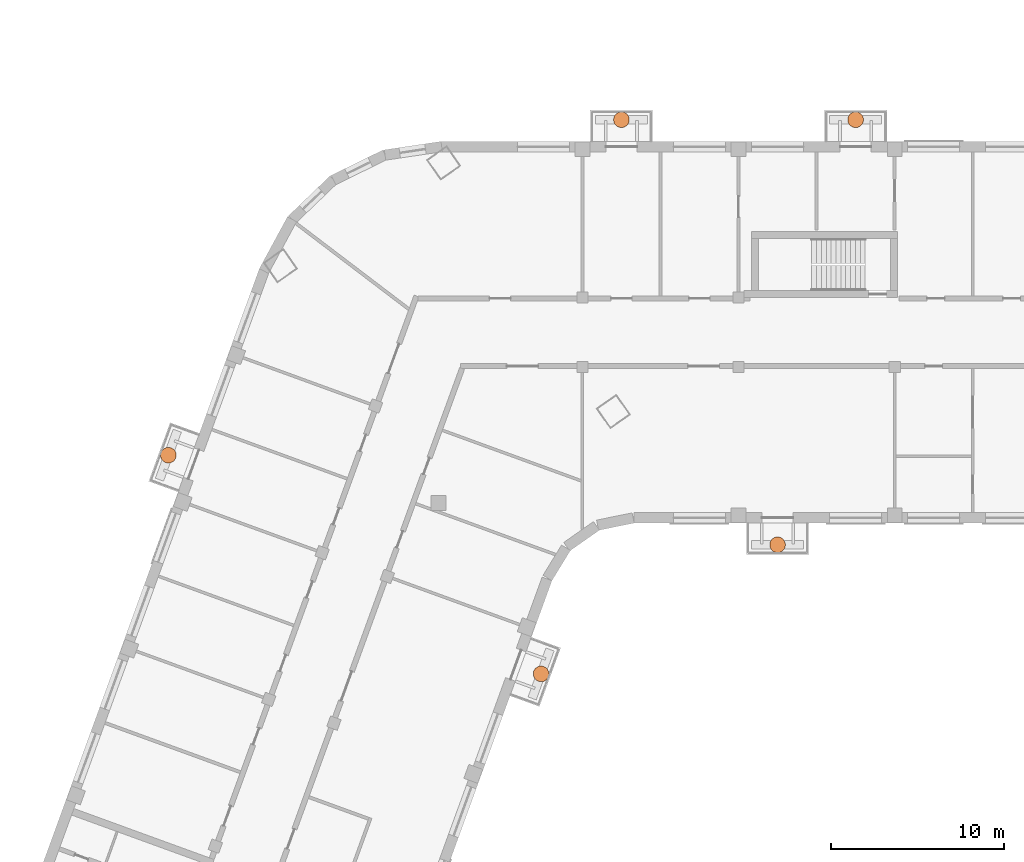
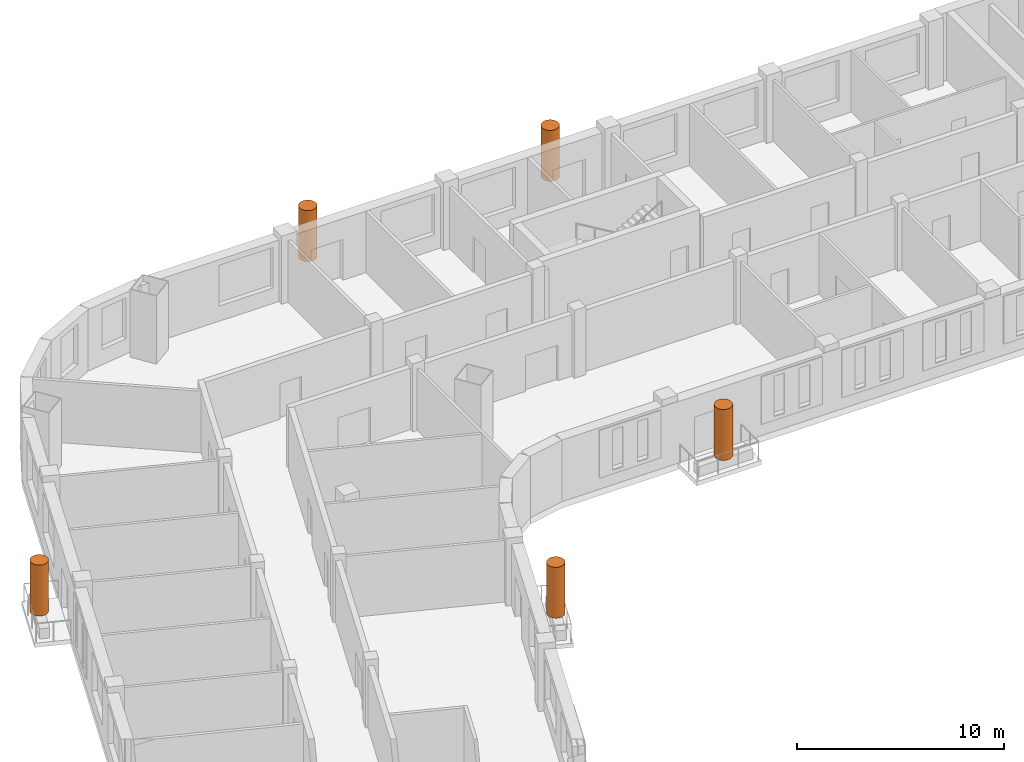
# One storey, part 16 of 16: 5 geographic elements.
"""IFC4 building model written with IfcOpenShell, lengths in metres."""

from ifc_helpers import new_model, si_unit, direction, frame, origin, origin_2d, place, context, subcontext, project, spatial, circle, extrude, element, save


model = new_model("IFC4")

# Units and contexts
model_context = context("Model", 3, precision=1e-05, world=origin(), true_north=direction((0.0, 1.0)))
body_context = subcontext(model_context, "Body", "Model", "MODEL_VIEW")
ifc_project = project(units=[si_unit("LENGTHUNIT", "METRE"), si_unit("AREAUNIT", "SQUARE_METRE"), si_unit("VOLUMEUNIT", "CUBIC_METRE"), si_unit("PLANEANGLEUNIT", "RADIAN"), si_unit("MASSUNIT", "GRAM", prefix="KILO")], contexts=[model_context])

# Site, building, storey
site_placement = place(None, origin())
site = spatial("IfcSite", under=ifc_project, at=site_placement, CompositionType="ELEMENT")
building_placement = place(site_placement, origin())
building = spatial("IfcBuilding", under=site, at=building_placement, Name="Skarvind Civic Tower", CompositionType="ELEMENT")
storey_placement = place(building_placement, frame((0.0, 0.0, 81.0)))
storey = spatial("IfcBuildingStorey", under=building, at=storey_placement, Name="L18", CompositionType="ELEMENT", Elevation=81.0)

# Geographic elements
for number, where, z_axis, x_axis, name in (
    (1, (51.867919921875, 108.305419921875, 0.60009765625), (0.0, 0.0, 1.0), (1.0, 0.0, 0.0), "TREE BALCONY TREE"),
    (2, (65.5, 115.75, 0.60009765625), (0.0, 0.0, 1.0), (1.0, 0.0, 0.0), "TREE BALCONY TREE"),
    (3, (56.5, 140.25, 0.60009765625), (0.0, 0.0, 1.0), (1.0, 0.0, 0.0), "TREE BALCONY TREE"),
    (4, (70.0, 140.25, 0.60009765625), (0.0, 0.0, 1.0), (1.0, 0.0, 0.0), "TREE BALCONY TREE"),
    (5, (30.384521484375, 120.91357421875, 0.60009765625), (0.0, 0.0, 1.0), (1.0, 0.0, 0.0), "TREE BALCONY TREE"),
):
    element("IfcGeographicElement", number, at=place(storey_placement, frame(where, z_axis=z_axis, x_axis=x_axis)), inside=storey, Name=name, ObjectType="TREE", PredefinedType="USERDEFINED", context=body_context, shape_type="SweptSolid", body=[
        extrude(circle(Radius=0.449951171875, at=origin_2d()), origin(), (0.0, 0.0, 1.0), 3.0),
    ])

save(model, "model.ifc")
